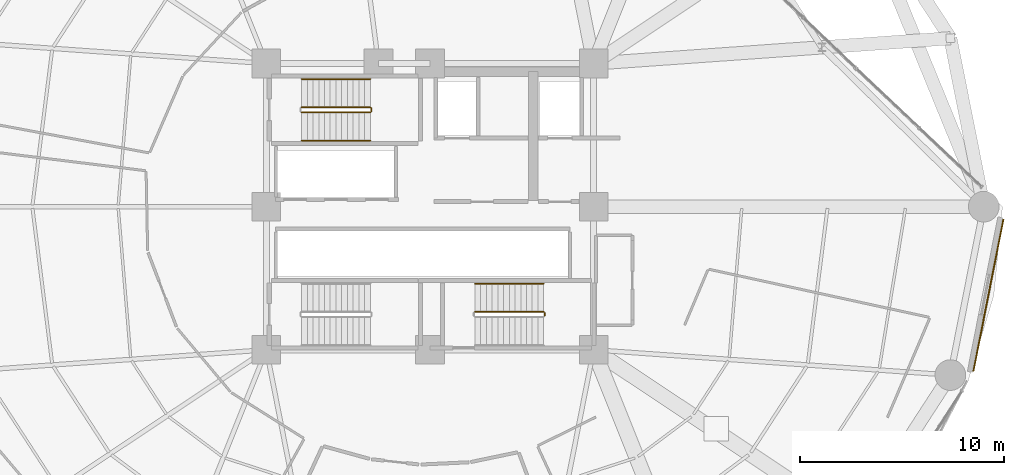
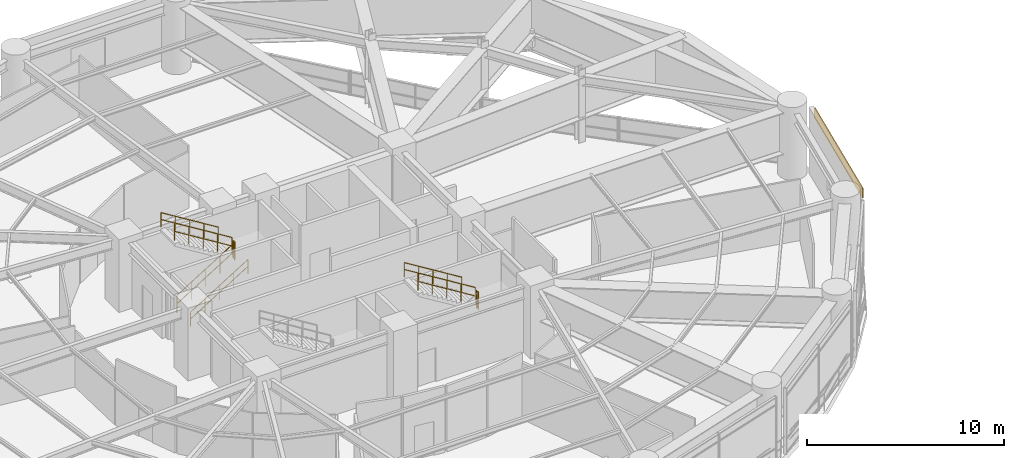
# One storey, part 50 of 52: 8 railings, 1 covering.
"""IFC4 building model written with IfcOpenShell, lengths in metres."""

from ifc_helpers import new_model, si_unit, direction, frame, origin, origin_2d, place, context, subcontext, project, spatial, polyline, rectangle, outline, extrude, source, transform, mapped, material, layer, layer_set, type_object, element, save


model = new_model("IFC4")

# Units and contexts
model_context = context("Model", 3, precision=1e-05, world=origin(), true_north=direction((0.0, 1.0)))
body_context = subcontext(model_context, "Body", "Model", "MODEL_VIEW")
ifc_project = project(units=[si_unit("LENGTHUNIT", "METRE"), si_unit("AREAUNIT", "SQUARE_METRE"), si_unit("VOLUMEUNIT", "CUBIC_METRE"), si_unit("PLANEANGLEUNIT", "RADIAN"), si_unit("MASSUNIT", "GRAM", prefix="KILO")], contexts=[model_context])

# Site, building, storey
site_placement = place(None, origin())
site = spatial("IfcSite", under=ifc_project, at=site_placement, CompositionType="ELEMENT")
building_placement = place(site_placement, origin())
building = spatial("IfcBuilding", under=site, at=building_placement, Name="Kelanora Arch Commons", CompositionType="ELEMENT")
storey_placement = place(building_placement, frame((0.0, 0.0, 13.5)))
storey = spatial("IfcBuildingStorey", under=building, at=storey_placement, Name="L03", CompositionType="ELEMENT", Elevation=13.5)

# Railings
ifc_material_1 = material(Name="Painted steel stair well guard", Category="steel")
railing_type_1 = type_object("IfcRailingType", Name="RAIL-STAIR-GRD", PredefinedType="GUARDRAIL", material=ifc_material_1)
railing_1_placement = place(storey_placement, frame((67.719970703125, 62.610107421875, 0.173095703125)))
element("IfcRailing", 1, at=railing_1_placement, inside=storey, type_object=railing_type_1, Name="L03 ST-T1 stair guard 1", PredefinedType="GUARDRAIL", context=body_context, shape_type="SweptSolid", body=[
    extrude(outline(polyline([(0.02392578125, 0.0), (0.011962890625, 0.020751953125), (-0.011962890625, 0.020751953125), (-0.02392578125, 0.0), (-0.011962890625, -0.020751953125), (0.011962890625, -0.020751953125), (0.02392578125, 0.0)])), frame((0.0, 0.0, 1.076171875), z_axis=(0.850623216509, 0.0, 0.525775754039), x_axis=(0.0, 1.0, 0.0)), (0.0, 0.0, 1.0), 3.9501953125),
    extrude(outline(polyline([(0.02392578125, 0.0), (0.011962890625, 0.020751953125), (-0.011962890625, 0.020751953125), (-0.02392578125, 0.0), (-0.011962890625, -0.020751953125), (0.011962890625, -0.020751953125), (0.02392578125, 0.0)])), frame((0.0, 0.0, 0.550048828125), z_axis=(0.850623216509, 0.0, 0.525775754039), x_axis=(0.0, 1.0, 0.0)), (0.0, 0.0, 1.0), 3.9501953125),
    extrude(outline(polyline([(0.02099609375, 0.0), (0.010498046875, 0.01806640625), (-0.010498046875, 0.01806640625), (-0.02099609375, 0.0), (-0.010498046875, -0.01806640625), (0.010498046875, -0.01806640625), (0.02099609375, 0.0)])), origin(), (0.0, 0.0, 1.0), 1.052001953125),
    extrude(outline(polyline([(0.02099609375, 0.0), (0.010498046875, 0.01806640625), (-0.010498046875, 0.01806640625), (-0.02099609375, 0.0), (-0.010498046875, -0.01806640625), (0.010498046875, -0.01806640625), (0.02099609375, 0.0)])), frame((0.840087890625, 0.0, 0.519287109375)), (0.0, 0.0, 1.0), 1.052001953125),
    extrude(outline(polyline([(0.02099609375, 0.0), (0.010498046875, 0.01806640625), (-0.010498046875, 0.01806640625), (-0.02099609375, 0.0), (-0.010498046875, -0.01806640625), (0.010498046875, -0.01806640625), (0.02099609375, 0.0)])), frame((1.68017578125, 0.0, 1.03857421875)), (0.0, 0.0, 1.0), 1.052001953125),
    extrude(outline(polyline([(0.02099609375, 0.0), (0.010498046875, 0.01806640625), (-0.010498046875, 0.01806640625), (-0.02099609375, 0.0), (-0.010498046875, -0.01806640625), (0.010498046875, -0.01806640625), (0.02099609375, 0.0)])), frame((2.52001953125, 0.0, 1.5576171875)), (0.0, 0.0, 1.0), 1.052001953125),
    extrude(outline(polyline([(0.02099609375, 0.0), (0.010498046875, 0.01806640625), (-0.010498046875, 0.01806640625), (-0.02099609375, 0.0), (-0.010498046875, -0.01806640625), (0.010498046875, -0.01806640625), (0.02099609375, 0.0)])), frame((3.360107421875, 0.0, 2.076904296875)), (0.0, 0.0, 1.0), 1.052001953125),
])
railing_2_placement = place(storey_placement, frame((71.1298828125, 62.659912109375, 2.25)))
element("IfcRailing", 2, at=railing_2_placement, inside=storey, type_object=railing_type_1, Name="L03 ST-T1 stair guard 2", PredefinedType="GUARDRAIL", context=body_context, shape_type="SweptSolid", body=[
    extrude(outline(polyline([(0.02392578125, 0.0), (0.011962890625, 0.020751953125), (-0.011962890625, 0.020751953125), (-0.02392578125, 0.0), (-0.011962890625, -0.020751953125), (0.011962890625, -0.020751953125), (0.02392578125, 0.0)])), frame((0.0, 0.0, 1.076171875), z_axis=(0.0, 1.0, 0.0), x_axis=(-1.0, 0.0, 0.0)), (0.0, 0.0, 1.0), 0.150146484375),
    extrude(outline(polyline([(0.02392578125, 0.0), (0.011962890625, 0.020751953125), (-0.011962890625, 0.020751953125), (-0.02392578125, 0.0), (-0.011962890625, -0.020751953125), (0.011962890625, -0.020751953125), (0.02392578125, 0.0)])), frame((0.0, 0.0, 0.550048828125), z_axis=(0.0, 1.0, 0.0), x_axis=(-1.0, 0.0, 0.0)), (0.0, 0.0, 1.0), 0.150146484375),
    extrude(outline(polyline([(0.02099609375, 0.0), (0.010498046875, 0.01806640625), (-0.010498046875, 0.01806640625), (-0.02099609375, 0.0), (-0.010498046875, -0.01806640625), (0.010498046875, -0.01806640625), (0.02099609375, 0.0)])), origin(), (0.0, 0.0, 1.0), 1.052001953125),
    extrude(outline(polyline([(0.02099609375, 0.0), (0.010498046875, 0.01806640625), (-0.010498046875, 0.01806640625), (-0.02099609375, 0.0), (-0.010498046875, -0.01806640625), (0.010498046875, -0.01806640625), (0.02099609375, 0.0)])), frame((0.0, 0.150146484375, 0.0)), (0.0, 0.0, 1.0), 1.052001953125),
])
railing_3_placement = place(storey_placement, frame((71.080078125, 62.860107421875, 2.423095703125)))
element("IfcRailing", 3, at=railing_3_placement, inside=storey, type_object=railing_type_1, Name="L03 ST-T1 stair guard 3", PredefinedType="GUARDRAIL", context=body_context, shape_type="SweptSolid", body=[
    extrude(outline(polyline([(0.02392578125, 0.0), (0.011962890625, 0.020751953125), (-0.011962890625, 0.020751953125), (-0.02392578125, 0.0), (-0.011962890625, -0.020751953125), (0.011962890625, -0.020751953125), (0.02392578125, 0.0)])), frame((0.0, 0.0, 1.076171875), z_axis=(-0.850623216509, 0.0, 0.525775754039), x_axis=(0.0, -1.0, 0.0)), (0.0, 0.0, 1.0), 3.9501953125),
    extrude(outline(polyline([(0.02392578125, 0.0), (0.011962890625, 0.020751953125), (-0.011962890625, 0.020751953125), (-0.02392578125, 0.0), (-0.011962890625, -0.020751953125), (0.011962890625, -0.020751953125), (0.02392578125, 0.0)])), frame((0.0, 0.0, 0.550048828125), z_axis=(-0.850623216509, 0.0, 0.525775754039), x_axis=(0.0, -1.0, 0.0)), (0.0, 0.0, 1.0), 3.9501953125),
    extrude(outline(polyline([(0.02099609375, 0.0), (0.010498046875, 0.01806640625), (-0.010498046875, 0.01806640625), (-0.02099609375, 0.0), (-0.010498046875, -0.01806640625), (0.010498046875, -0.01806640625), (0.02099609375, 0.0)])), origin(), (0.0, 0.0, 1.0), 1.052001953125),
    extrude(outline(polyline([(0.02099609375, 0.0), (0.010498046875, 0.01806640625), (-0.010498046875, 0.01806640625), (-0.02099609375, 0.0), (-0.010498046875, -0.01806640625), (0.010498046875, -0.01806640625), (0.02099609375, 0.0)])), frame((-0.840087890625, 0.0, 0.519287109375)), (0.0, 0.0, 1.0), 1.052001953125),
    extrude(outline(polyline([(0.02099609375, 0.0), (0.010498046875, 0.01806640625), (-0.010498046875, 0.01806640625), (-0.02099609375, 0.0), (-0.010498046875, -0.01806640625), (0.010498046875, -0.01806640625), (0.02099609375, 0.0)])), frame((-1.68017578125, 0.0, 1.03857421875)), (0.0, 0.0, 1.0), 1.052001953125),
    extrude(outline(polyline([(0.02099609375, 0.0), (0.010498046875, 0.01806640625), (-0.010498046875, 0.01806640625), (-0.02099609375, 0.0), (-0.010498046875, -0.01806640625), (0.010498046875, -0.01806640625), (0.02099609375, 0.0)])), frame((-2.52001953125, 0.0, 1.5576171875)), (0.0, 0.0, 1.0), 1.052001953125),
    extrude(outline(polyline([(0.02099609375, 0.0), (0.010498046875, 0.01806640625), (-0.010498046875, 0.01806640625), (-0.02099609375, 0.0), (-0.010498046875, -0.01806640625), (0.010498046875, -0.01806640625), (0.02099609375, 0.0)])), frame((-3.360107421875, 0.0, 2.076904296875)), (0.0, 0.0, 1.0), 1.052001953125),
])
railing_4_placement = place(storey_placement, frame((79.610107421875, 52.659912109375, 2.25)))
element("IfcRailing", 4, at=railing_4_placement, inside=storey, type_object=railing_type_1, Name="L03 ST-T2 stair guard 2", PredefinedType="GUARDRAIL", context=body_context, shape_type="SweptSolid", body=[
    extrude(outline(polyline([(0.02392578125, 0.0), (0.011962890625, 0.020751953125), (-0.011962890625, 0.020751953125), (-0.02392578125, 0.0), (-0.011962890625, -0.020751953125), (0.011962890625, -0.020751953125), (0.02392578125, 0.0)])), frame((0.0, 0.0, 1.076171875), z_axis=(0.0, 1.0, 0.0), x_axis=(-1.0, 0.0, 0.0)), (0.0, 0.0, 1.0), 0.150146484375),
    extrude(outline(polyline([(0.02392578125, 0.0), (0.011962890625, 0.020751953125), (-0.011962890625, 0.020751953125), (-0.02392578125, 0.0), (-0.011962890625, -0.020751953125), (0.011962890625, -0.020751953125), (0.02392578125, 0.0)])), frame((0.0, 0.0, 0.550048828125), z_axis=(0.0, 1.0, 0.0), x_axis=(-1.0, 0.0, 0.0)), (0.0, 0.0, 1.0), 0.150146484375),
    extrude(outline(polyline([(0.02099609375, 0.0), (0.010498046875, 0.01806640625), (-0.010498046875, 0.01806640625), (-0.02099609375, 0.0), (-0.010498046875, -0.01806640625), (0.010498046875, -0.01806640625), (0.02099609375, 0.0)])), origin(), (0.0, 0.0, 1.0), 1.052001953125),
    extrude(outline(polyline([(0.02099609375, 0.0), (0.010498046875, 0.01806640625), (-0.010498046875, 0.01806640625), (-0.02099609375, 0.0), (-0.010498046875, -0.01806640625), (0.010498046875, -0.01806640625), (0.02099609375, 0.0)])), frame((0.0, 0.150146484375, 0.0)), (0.0, 0.0, 1.0), 1.052001953125),
])
railing_5_placement = place(storey_placement, frame((79.56005859375, 52.860107421875, 2.423095703125)))
element("IfcRailing", 5, at=railing_5_placement, inside=storey, type_object=railing_type_1, Name="L03 ST-T2 stair guard 3", PredefinedType="GUARDRAIL", context=body_context, shape_type="SweptSolid", body=[
    extrude(outline(polyline([(0.02392578125, 0.0), (0.011962890625, 0.020751953125), (-0.011962890625, 0.020751953125), (-0.02392578125, 0.0), (-0.011962890625, -0.020751953125), (0.011962890625, -0.020751953125), (0.02392578125, 0.0)])), frame((0.0, 0.0, 1.076171875), z_axis=(-0.850623216509, 0.0, 0.525775754039), x_axis=(0.0, -1.0, 0.0)), (0.0, 0.0, 1.0), 3.9501953125),
    extrude(outline(polyline([(0.02392578125, 0.0), (0.011962890625, 0.020751953125), (-0.011962890625, 0.020751953125), (-0.02392578125, 0.0), (-0.011962890625, -0.020751953125), (0.011962890625, -0.020751953125), (0.02392578125, 0.0)])), frame((0.0, 0.0, 0.550048828125), z_axis=(-0.850623216509, 0.0, 0.525775754039), x_axis=(0.0, -1.0, 0.0)), (0.0, 0.0, 1.0), 3.9501953125),
    extrude(outline(polyline([(0.02099609375, 0.0), (0.010498046875, 0.01806640625), (-0.010498046875, 0.01806640625), (-0.02099609375, 0.0), (-0.010498046875, -0.01806640625), (0.010498046875, -0.01806640625), (0.02099609375, 0.0)])), origin(), (0.0, 0.0, 1.0), 1.052001953125),
    extrude(outline(polyline([(0.02099609375, 0.0), (0.010498046875, 0.01806640625), (-0.010498046875, 0.01806640625), (-0.02099609375, 0.0), (-0.010498046875, -0.01806640625), (0.010498046875, -0.01806640625), (0.02099609375, 0.0)])), frame((-0.840087890625, 0.0, 0.519287109375)), (0.0, 0.0, 1.0), 1.052001953125),
    extrude(outline(polyline([(0.02099609375, 0.0), (0.010498046875, 0.01806640625), (-0.010498046875, 0.01806640625), (-0.02099609375, 0.0), (-0.010498046875, -0.01806640625), (0.010498046875, -0.01806640625), (0.02099609375, 0.0)])), frame((-1.68017578125, 0.0, 1.03857421875)), (0.0, 0.0, 1.0), 1.052001953125),
    extrude(outline(polyline([(0.02099609375, 0.0), (0.010498046875, 0.01806640625), (-0.010498046875, 0.01806640625), (-0.02099609375, 0.0), (-0.010498046875, -0.01806640625), (0.010498046875, -0.01806640625), (0.02099609375, 0.0)])), frame((-2.52001953125, 0.0, 1.5576171875)), (0.0, 0.0, 1.0), 1.052001953125),
    extrude(outline(polyline([(0.02099609375, 0.0), (0.010498046875, 0.01806640625), (-0.010498046875, 0.01806640625), (-0.02099609375, 0.0), (-0.010498046875, -0.01806640625), (0.010498046875, -0.01806640625), (0.02099609375, 0.0)])), frame((-3.360107421875, 0.0, 2.076904296875)), (0.0, 0.0, 1.0), 1.052001953125),
])
ifc_material_2 = material(Name="Brushed stainless steel stair handrail", Category="steel")
railing_type_2 = type_object("IfcRailingType", Name="RAIL-STAIR-HND", PredefinedType="HANDRAIL", material=ifc_material_2)
railing_6_placement = place(storey_placement, frame((67.719970703125, 61.22998046875, 0.173095703125)))
element("IfcRailing", 6, at=railing_6_placement, inside=storey, type_object=railing_type_2, Name="L03 ST-T1 stair handrail 1", PredefinedType="HANDRAIL", context=body_context, shape_type="SweptSolid", body=[
    extrude(outline(polyline([(0.02392578125, 0.0), (0.011962890625, 0.020751953125), (-0.011962890625, 0.020751953125), (-0.02392578125, 0.0), (-0.011962890625, -0.020751953125), (0.011962890625, -0.020751953125), (0.02392578125, 0.0)])), frame((0.0, 0.0, 0.8759765625), z_axis=(0.850623216509, 0.0, 0.525775754039), x_axis=(0.0, 1.0, 0.0)), (0.0, 0.0, 1.0), 3.9501953125),
    extrude(outline(polyline([(0.02392578125, 0.0), (0.011962890625, 0.020751953125), (-0.011962890625, 0.020751953125), (-0.02392578125, 0.0), (-0.011962890625, -0.020751953125), (0.011962890625, -0.020751953125), (0.02392578125, 0.0)])), frame((0.0, 0.0, 0.449951171875), z_axis=(0.850623216509, 0.0, 0.525775754039), x_axis=(0.0, 1.0, 0.0)), (0.0, 0.0, 1.0), 3.9501953125),
    extrude(outline(polyline([(0.02099609375, 0.0), (0.010498046875, 0.01806640625), (-0.010498046875, 0.01806640625), (-0.02099609375, 0.0), (-0.010498046875, -0.01806640625), (0.010498046875, -0.01806640625), (0.02099609375, 0.0)])), origin(), (0.0, 0.0, 1.0), 0.851806640625),
    extrude(outline(polyline([(0.02099609375, 0.0), (0.010498046875, 0.01806640625), (-0.010498046875, 0.01806640625), (-0.02099609375, 0.0), (-0.010498046875, -0.01806640625), (0.010498046875, -0.01806640625), (0.02099609375, 0.0)])), frame((0.840087890625, 0.0, 0.519287109375)), (0.0, 0.0, 1.0), 0.851806640625),
    extrude(outline(polyline([(0.02099609375, 0.0), (0.010498046875, 0.01806640625), (-0.010498046875, 0.01806640625), (-0.02099609375, 0.0), (-0.010498046875, -0.01806640625), (0.010498046875, -0.01806640625), (0.02099609375, 0.0)])), frame((1.68017578125, 0.0, 1.03857421875)), (0.0, 0.0, 1.0), 0.851806640625),
    extrude(outline(polyline([(0.02099609375, 0.0), (0.010498046875, 0.01806640625), (-0.010498046875, 0.01806640625), (-0.02099609375, 0.0), (-0.010498046875, -0.01806640625), (0.010498046875, -0.01806640625), (0.02099609375, 0.0)])), frame((2.52001953125, 0.0, 1.5576171875)), (0.0, 0.0, 1.0), 0.851806640625),
    extrude(outline(polyline([(0.02099609375, 0.0), (0.010498046875, 0.01806640625), (-0.010498046875, 0.01806640625), (-0.02099609375, 0.0), (-0.010498046875, -0.01806640625), (0.010498046875, -0.01806640625), (0.02099609375, 0.0)])), frame((3.360107421875, 0.0, 2.076904296875)), (0.0, 0.0, 1.0), 0.851806640625),
])
railing_7_placement = place(storey_placement, frame((71.080078125, 64.239990234375, 2.423095703125)))
element("IfcRailing", 7, at=railing_7_placement, inside=storey, type_object=railing_type_2, Name="L03 ST-T1 stair handrail 2", PredefinedType="HANDRAIL", context=body_context, shape_type="SweptSolid", body=[
    extrude(outline(polyline([(0.02392578125, 0.0), (0.011962890625, 0.020751953125), (-0.011962890625, 0.020751953125), (-0.02392578125, 0.0), (-0.011962890625, -0.020751953125), (0.011962890625, -0.020751953125), (0.02392578125, 0.0)])), frame((0.0, 0.0, 0.8759765625), z_axis=(-0.850623216509, 0.0, 0.525775754039), x_axis=(0.0, -1.0, 0.0)), (0.0, 0.0, 1.0), 3.9501953125),
    extrude(outline(polyline([(0.02392578125, 0.0), (0.011962890625, 0.020751953125), (-0.011962890625, 0.020751953125), (-0.02392578125, 0.0), (-0.011962890625, -0.020751953125), (0.011962890625, -0.020751953125), (0.02392578125, 0.0)])), frame((0.0, 0.0, 0.449951171875), z_axis=(-0.850623216509, 0.0, 0.525775754039), x_axis=(0.0, -1.0, 0.0)), (0.0, 0.0, 1.0), 3.9501953125),
    extrude(outline(polyline([(0.02099609375, 0.0), (0.010498046875, 0.01806640625), (-0.010498046875, 0.01806640625), (-0.02099609375, 0.0), (-0.010498046875, -0.01806640625), (0.010498046875, -0.01806640625), (0.02099609375, 0.0)])), origin(), (0.0, 0.0, 1.0), 0.851806640625),
    extrude(outline(polyline([(0.02099609375, 0.0), (0.010498046875, 0.01806640625), (-0.010498046875, 0.01806640625), (-0.02099609375, 0.0), (-0.010498046875, -0.01806640625), (0.010498046875, -0.01806640625), (0.02099609375, 0.0)])), frame((-0.840087890625, 0.0, 0.519287109375)), (0.0, 0.0, 1.0), 0.851806640625),
    extrude(outline(polyline([(0.02099609375, 0.0), (0.010498046875, 0.01806640625), (-0.010498046875, 0.01806640625), (-0.02099609375, 0.0), (-0.010498046875, -0.01806640625), (0.010498046875, -0.01806640625), (0.02099609375, 0.0)])), frame((-1.68017578125, 0.0, 1.03857421875)), (0.0, 0.0, 1.0), 0.851806640625),
    extrude(outline(polyline([(0.02099609375, 0.0), (0.010498046875, 0.01806640625), (-0.010498046875, 0.01806640625), (-0.02099609375, 0.0), (-0.010498046875, -0.01806640625), (0.010498046875, -0.01806640625), (0.02099609375, 0.0)])), frame((-2.52001953125, 0.0, 1.5576171875)), (0.0, 0.0, 1.0), 0.851806640625),
    extrude(outline(polyline([(0.02099609375, 0.0), (0.010498046875, 0.01806640625), (-0.010498046875, 0.01806640625), (-0.02099609375, 0.0), (-0.010498046875, -0.01806640625), (0.010498046875, -0.01806640625), (0.02099609375, 0.0)])), frame((-3.360107421875, 0.0, 2.076904296875)), (0.0, 0.0, 1.0), 0.851806640625),
])
railing_8_placement = place(storey_placement, frame((79.56005859375, 54.239990234375, 2.423095703125)))
element("IfcRailing", 8, at=railing_8_placement, inside=storey, type_object=railing_type_2, Name="L03 ST-T2 stair handrail 2", PredefinedType="HANDRAIL", context=body_context, shape_type="SweptSolid", body=[
    extrude(outline(polyline([(0.02392578125, 0.0), (0.011962890625, 0.020751953125), (-0.011962890625, 0.020751953125), (-0.02392578125, 0.0), (-0.011962890625, -0.020751953125), (0.011962890625, -0.020751953125), (0.02392578125, 0.0)])), frame((0.0, 0.0, 0.8759765625), z_axis=(-0.850623216509, 0.0, 0.525775754039), x_axis=(0.0, -1.0, 0.0)), (0.0, 0.0, 1.0), 3.9501953125),
    extrude(outline(polyline([(0.02392578125, 0.0), (0.011962890625, 0.020751953125), (-0.011962890625, 0.020751953125), (-0.02392578125, 0.0), (-0.011962890625, -0.020751953125), (0.011962890625, -0.020751953125), (0.02392578125, 0.0)])), frame((0.0, 0.0, 0.449951171875), z_axis=(-0.850623216509, 0.0, 0.525775754039), x_axis=(0.0, -1.0, 0.0)), (0.0, 0.0, 1.0), 3.9501953125),
    extrude(outline(polyline([(0.02099609375, 0.0), (0.010498046875, 0.01806640625), (-0.010498046875, 0.01806640625), (-0.02099609375, 0.0), (-0.010498046875, -0.01806640625), (0.010498046875, -0.01806640625), (0.02099609375, 0.0)])), origin(), (0.0, 0.0, 1.0), 0.851806640625),
    extrude(outline(polyline([(0.02099609375, 0.0), (0.010498046875, 0.01806640625), (-0.010498046875, 0.01806640625), (-0.02099609375, 0.0), (-0.010498046875, -0.01806640625), (0.010498046875, -0.01806640625), (0.02099609375, 0.0)])), frame((-0.840087890625, 0.0, 0.519287109375)), (0.0, 0.0, 1.0), 0.851806640625),
    extrude(outline(polyline([(0.02099609375, 0.0), (0.010498046875, 0.01806640625), (-0.010498046875, 0.01806640625), (-0.02099609375, 0.0), (-0.010498046875, -0.01806640625), (0.010498046875, -0.01806640625), (0.02099609375, 0.0)])), frame((-1.68017578125, 0.0, 1.03857421875)), (0.0, 0.0, 1.0), 0.851806640625),
    extrude(outline(polyline([(0.02099609375, 0.0), (0.010498046875, 0.01806640625), (-0.010498046875, 0.01806640625), (-0.02099609375, 0.0), (-0.010498046875, -0.01806640625), (0.010498046875, -0.01806640625), (0.02099609375, 0.0)])), frame((-2.52001953125, 0.0, 1.5576171875)), (0.0, 0.0, 1.0), 0.851806640625),
    extrude(outline(polyline([(0.02099609375, 0.0), (0.010498046875, 0.01806640625), (-0.010498046875, 0.01806640625), (-0.02099609375, 0.0), (-0.010498046875, -0.01806640625), (0.010498046875, -0.01806640625), (0.02099609375, 0.0)])), frame((-3.360107421875, 0.0, 2.076904296875)), (0.0, 0.0, 1.0), 0.851806640625),
])

# Covering
ifc_material_3 = material(Name="Glazed architectural terracotta spandrel cladding", Category="masonry")
ifc_layer = layer(ifc_material_3, 0.06005859375)
ifc_layer_set = layer_set([ifc_layer], Name="Glazed architectural terracotta spandrel cladding")
covering_type = type_object("IfcCoveringType", Name="COV-CLAD-TC", PredefinedType="CLADDING", material=ifc_layer_set)
shared_shape = source(origin(), body_context, "Body", "SweptSolid", [
    extrude(rectangle(XDim=7.58251953125, YDim=0.06005859375, at=origin_2d()), origin(), (0.0, 0.0, 1.0), 0.60009765625),
])
covering_placement = place(storey_placement, frame((101.305419921875, 53.66748046875, 3.43505859375), z_axis=(0.0, 0.0, 1.0), x_axis=(0.19374368704, 0.981052181962, 0.0)))
element("IfcCovering", 9, at=covering_placement, inside=storey, type_object=covering_type, Name="Terracotta Spandrel Cladding L03-B17", PredefinedType="CLADDING", context=body_context, shape_type="MappedRepresentation", body=[
    mapped(shared_shape, transform((0.0, 0.0, 0.0), scale=1.0)),
])

save(model, "model.ifc")
